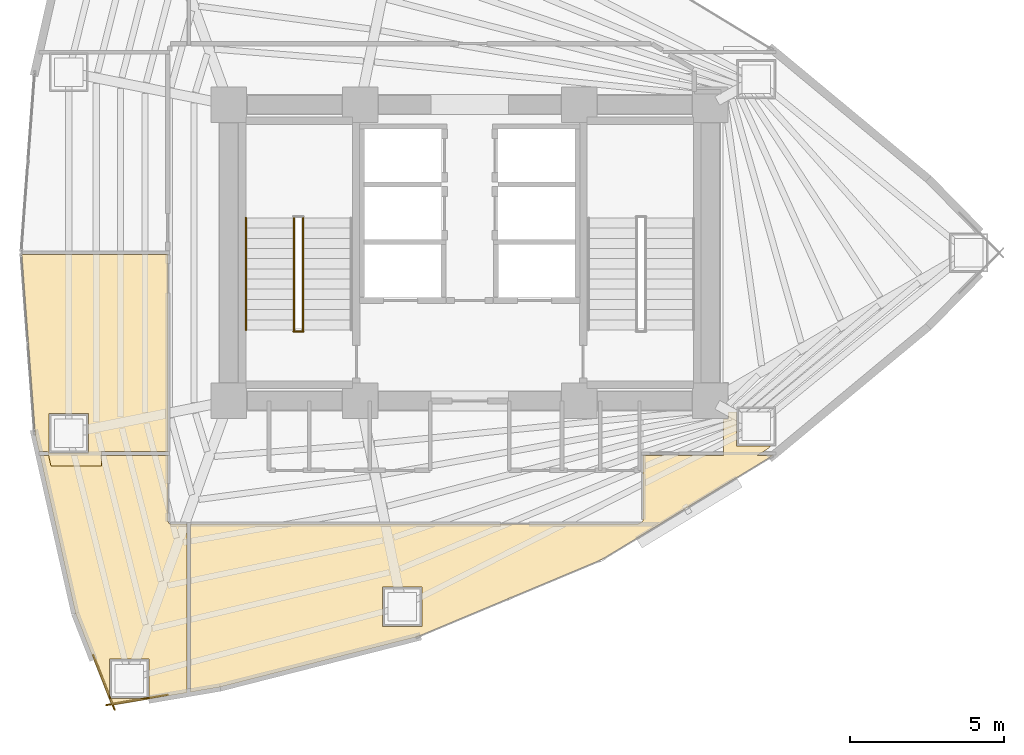
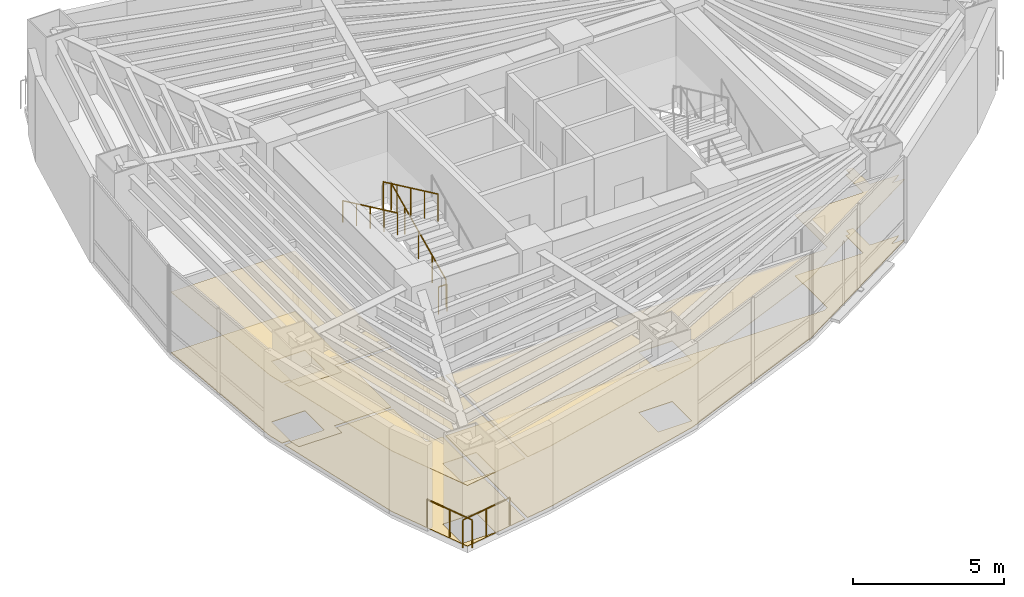
# One storey, part 15 of 16: 6 coverings, 6 railings.
"""IFC4 building model written with IfcOpenShell, lengths in metres."""

from ifc_helpers import new_model, si_unit, direction, frame, origin, origin_2d, place, context, subcontext, project, spatial, polyline, circle, outline, extrude, material, layer, layer_set, type_object, element, save


model = new_model("IFC4")

# Units and contexts
model_context = context("Model", 3, precision=1e-05, world=origin(), true_north=direction((0.0, 1.0)))
body_context = subcontext(model_context, "Body", "Model", "MODEL_VIEW")
ifc_project = project(units=[si_unit("LENGTHUNIT", "METRE"), si_unit("AREAUNIT", "SQUARE_METRE"), si_unit("VOLUMEUNIT", "CUBIC_METRE"), si_unit("PLANEANGLEUNIT", "RADIAN"), si_unit("MASSUNIT", "GRAM", prefix="KILO")], contexts=[model_context])

# Site, building, storey
site_placement = place(None, origin())
site = spatial("IfcSite", under=ifc_project, at=site_placement, CompositionType="ELEMENT")
building_placement = place(site_placement, origin())
building = spatial("IfcBuilding", under=site, at=building_placement, Name="Menara Vayukalpa", CompositionType="ELEMENT")
storey_placement = place(building_placement, frame((0.0, 0.0, 72.239990234375)))
storey = spatial("IfcBuildingStorey", under=building, at=storey_placement, Name="L17", CompositionType="ELEMENT", Elevation=72.239990234375)

# Coverings
ifc_material_1 = material(Name="Mineral Fibre Acoustic Ceiling Tile", Category="masonry")
ifc_layer_1 = layer(ifc_material_1, 0.02490234375)
ifc_layer_set_1 = layer_set([ifc_layer_1], Name="Mineral Fibre Acoustic Ceiling Tile")
covering_type_1 = type_object("IfcCoveringType", Name="COV-CLG1", PredefinedType="CEILING", material=ifc_layer_set_1)
covering_1_placement = place(storey_placement, frame((0.0, 0.0, 2.449951171875)))
element("IfcCovering", 1, at=covering_1_placement, inside=storey, type_object=covering_type_1, Name="L17 Visitor Reception Lounge Acoustic Ceiling", PredefinedType="CEILING", context=body_context, shape_type="SweptSolid", body=[
    extrude(outline(polyline([(11.65869140625, 15.56005859375), (11.65771484375, 15.56005859375), (11.65673828125, 15.560302734375), (11.65576171875, 15.560302734375), (11.65478515625, 15.560791015625), (11.654052734375, 15.56103515625), (11.653076171875, 15.5615234375), (11.65234375, 15.562255859375), (11.651611328125, 15.562744140625), (11.65087890625, 15.5634765625), (11.650390625, 15.564208984375), (11.64990234375, 15.565185546875), (11.6494140625, 15.56591796875), (11.649169921875, 15.56689453125), (11.648681640625, 15.56787109375), (11.5166015625, 16.155029296875), (11.516357421875, 16.156494140625), (11.08349609375, 21.92919921875), (11.08349609375, 21.93017578125), (11.08349609375, 21.93115234375), (11.083740234375, 21.93212890625), (11.083984375, 21.93310546875), (11.084228515625, 21.93408203125), (11.084716796875, 21.934814453125), (11.085205078125, 21.935791015625), (11.085693359375, 21.936279296875), (11.08642578125, 21.93701171875), (11.087158203125, 21.937744140625), (11.087890625, 21.9384765625), (11.0888671875, 21.93896484375), (11.089599609375, 21.939208984375), (11.090576171875, 21.939697265625), (11.091552734375, 21.939697265625), (11.092529296875, 21.93994140625), (11.093505859375, 21.93994140625), (15.820068359375, 21.93994140625), (15.821044921875, 21.93994140625), (15.822021484375, 21.939697265625), (15.822998046875, 21.939697265625), (15.82373046875, 21.939208984375), (15.82470703125, 21.938720703125), (15.82568359375, 21.938232421875), (15.826416015625, 21.937744140625), (15.8271484375, 21.93701171875), (15.82763671875, 21.936279296875), (15.828369140625, 21.935546875), (15.828857421875, 21.934814453125), (15.8291015625, 21.933837890625), (15.82958984375, 21.932861328125), (15.829833984375, 21.931884765625), (15.830078125, 21.930908203125), (15.830078125, 21.929931640625), (15.830078125, 15.570068359375), (15.830078125, 15.569091796875), (15.829833984375, 15.568115234375), (15.82958984375, 15.567138671875), (15.8291015625, 15.566162109375), (15.828857421875, 15.565185546875), (15.828369140625, 15.564453125), (15.82763671875, 15.563720703125), (15.8271484375, 15.56298828125), (15.826416015625, 15.562255859375), (15.82568359375, 15.561767578125), (15.82470703125, 15.561279296875), (15.82373046875, 15.560791015625), (15.822998046875, 15.560302734375), (15.822021484375, 15.560302734375), (15.821044921875, 15.56005859375), (15.820068359375, 15.56005859375), (13.66650390625, 15.56005859375), (13.66650390625, 15.09423828125), (12.031982421875, 15.09423828125), (11.92724609375, 15.56005859375), (11.65869140625, 15.56005859375)]), holes=[polyline([(13.24658203125, 16.794189453125), (11.966552734375, 16.794189453125), (11.966552734375, 15.514404296875), (13.24658203125, 15.514404296875), (13.24658203125, 16.794189453125)])]), origin(), (0.0, 0.0, 1.0), 0.025146484375),
])
covering_2_placement = place(storey_placement, frame((0.0, 0.0, 2.449951171875)))
element("IfcCovering", 2, at=covering_2_placement, inside=storey, type_object=covering_type_1, Name="L17 Visitor Reception Lounge Acoustic Ceiling", PredefinedType="CEILING", context=body_context, shape_type="SweptSolid", body=[
    extrude(outline(polyline([(14.005615234375, 7.33642578125), (14.00439453125, 7.336669921875), (14.003662109375, 7.3369140625), (14.002685546875, 7.33740234375), (14.001708984375, 7.337646484375), (14.0009765625, 7.338134765625), (14.000244140625, 7.3388671875), (13.99951171875, 7.339599609375), (13.998779296875, 7.340087890625), (13.998291015625, 7.341064453125), (13.997802734375, 7.341796875), (13.997314453125, 7.3427734375), (12.831787109375, 10.310791015625), (12.83154296875, 10.3115234375), (12.831298828125, 10.312255859375), (11.680419921875, 15.427734375), (11.68017578125, 15.4287109375), (11.68017578125, 15.4296875), (11.68017578125, 15.430908203125), (11.680419921875, 15.431884765625), (11.680419921875, 15.4326171875), (11.680908203125, 15.43359375), (11.68115234375, 15.4345703125), (11.681640625, 15.435302734375), (11.682373046875, 15.436279296875), (11.68310546875, 15.43701171875), (11.68359375, 15.437744140625), (11.6845703125, 15.438232421875), (11.685302734375, 15.438720703125), (11.686279296875, 15.439208984375), (11.687255859375, 15.439697265625), (11.68798828125, 15.439697265625), (11.689208984375, 15.43994140625), (11.690185546875, 15.43994140625), (11.954345703125, 15.43994140625), (11.7841796875, 16.19580078125), (11.7080078125, 17.21435546875), (13.66650390625, 17.21435546875), (13.66650390625, 15.43994140625), (15.820068359375, 15.43994140625), (15.821044921875, 15.43994140625), (15.822021484375, 15.439697265625), (15.822998046875, 15.439697265625), (15.82373046875, 15.439208984375), (15.82470703125, 15.438720703125), (15.82568359375, 15.438232421875), (15.826416015625, 15.437744140625), (15.8271484375, 15.43701171875), (15.82763671875, 15.436279296875), (15.828369140625, 15.435546875), (15.828857421875, 15.434814453125), (15.8291015625, 15.433837890625), (15.82958984375, 15.432861328125), (15.829833984375, 15.431884765625), (15.830078125, 15.430908203125), (15.830078125, 15.429931640625), (15.830078125, 13.290283203125), (15.830322265625, 13.283203125), (15.831298828125, 13.2763671875), (15.8330078125, 13.269775390625), (15.835205078125, 13.26318359375), (15.838134765625, 13.257080078125), (15.841796875, 13.251220703125), (15.845947265625, 13.24560546875), (15.8505859375, 13.240478515625), (15.85546875, 13.236083984375), (15.861083984375, 13.231689453125), (15.866943359375, 13.228271484375), (15.873291015625, 13.225341796875), (15.879638671875, 13.222900390625), (15.88623046875, 13.22119140625), (15.893310546875, 13.220458984375), (15.900390625, 13.219970703125), (16.429931640625, 13.219970703125), (16.430908203125, 13.219970703125), (16.431884765625, 13.2197265625), (16.432861328125, 13.219482421875), (16.433837890625, 13.21923828125), (16.434814453125, 13.21875), (16.435546875, 13.21826171875), (16.436279296875, 13.2177734375), (16.43701171875, 13.217041015625), (16.437744140625, 13.21630859375), (16.438232421875, 13.215576171875), (16.438720703125, 13.214599609375), (16.439208984375, 13.2138671875), (16.439697265625, 13.212890625), (16.439697265625, 13.2119140625), (16.43994140625, 13.2109375), (16.43994140625, 13.2099609375), (16.43994140625, 7.7578125), (16.43994140625, 7.7568359375), (16.439697265625, 7.755859375), (16.439697265625, 7.7548828125), (16.439208984375, 7.75390625), (16.438720703125, 7.7529296875), (16.438232421875, 7.752197265625), (16.4375, 7.751220703125), (16.43701171875, 7.75048828125), (16.436279296875, 7.75), (16.435302734375, 7.74951171875), (16.4345703125, 7.748779296875), (16.43359375, 7.74853515625), (16.4326171875, 7.748291015625), (16.431640625, 7.747802734375), (14.00830078125, 7.33642578125), (14.00732421875, 7.33642578125), (14.00634765625, 7.33642578125), (14.005615234375, 7.33642578125)]), holes=[polyline([(15.208984375, 8.842529296875), (13.92919921875, 8.842529296875), (13.92919921875, 7.5625), (15.208984375, 7.5625), (15.208984375, 8.842529296875)]), polyline([(13.24658203125, 16.794189453125), (11.966552734375, 16.794189453125), (11.966552734375, 15.514404296875), (13.24658203125, 15.514404296875), (13.24658203125, 16.794189453125)])]), origin(), (0.0, 0.0, 1.0), 0.025146484375),
])
covering_3_placement = place(storey_placement, frame((0.0, 0.0, 2.449951171875)))
element("IfcCovering", 3, at=covering_3_placement, inside=storey, type_object=covering_type_1, Name="L17 Visitor Reception Lounge Acoustic Ceiling", PredefinedType="CEILING", context=body_context, shape_type="SweptSolid", body=[
    extrude(outline(polyline([(23.90478515625, 9.562255859375), (23.903564453125, 9.561767578125), (17.5087890625, 7.930908203125), (17.5078125, 7.9306640625), (16.57177734375, 7.771728515625), (16.57080078125, 7.771484375), (16.569580078125, 7.771484375), (16.56884765625, 7.771728515625), (16.56787109375, 7.771728515625), (16.56689453125, 7.772216796875), (16.56591796875, 7.7724609375), (16.565185546875, 7.77294921875), (16.564208984375, 7.7734375), (16.5634765625, 7.77392578125), (16.562744140625, 7.774658203125), (16.562255859375, 7.775390625), (16.5615234375, 7.776123046875), (16.56103515625, 7.777099609375), (16.560791015625, 7.77783203125), (16.560302734375, 7.77880859375), (16.560302734375, 7.77978515625), (16.56005859375, 7.780517578125), (16.56005859375, 7.781494140625), (16.56005859375, 13.2099609375), (16.56005859375, 13.2109375), (16.560302734375, 13.2119140625), (16.560302734375, 13.212890625), (16.560791015625, 13.2138671875), (16.561279296875, 13.214599609375), (16.561767578125, 13.215576171875), (16.562255859375, 13.21630859375), (16.56298828125, 13.217041015625), (16.563720703125, 13.2177734375), (16.564453125, 13.21826171875), (16.565185546875, 13.21875), (16.566162109375, 13.21923828125), (16.567138671875, 13.219482421875), (16.568115234375, 13.2197265625), (16.569091796875, 13.219970703125), (16.570068359375, 13.219970703125), (31.048828125, 13.219970703125), (31.055419921875, 13.22021484375), (31.0615234375, 13.22119140625), (31.06787109375, 13.22265625), (31.073974609375, 13.224609375), (31.079833984375, 13.22705078125), (31.085693359375, 13.230224609375), (31.186279296875, 13.29150390625), (31.192138671875, 13.295654296875), (31.19775390625, 13.30029296875), (31.202880859375, 13.305419921875), (31.207275390625, 13.31103515625), (31.2109375, 13.317138671875), (31.214111328125, 13.323486328125), (31.216796875, 13.330078125), (31.218505859375, 13.337158203125), (31.219482421875, 13.34423828125), (31.219970703125, 13.3515625), (31.219970703125, 14.849609375), (31.219482421875, 14.856689453125), (31.21875, 14.86376953125), (31.217041015625, 14.870361328125), (31.214599609375, 14.876708984375), (31.2119140625, 14.8828125), (31.211669921875, 14.883056640625), (31.211181640625, 14.8837890625), (31.210693359375, 14.884765625), (31.21044921875, 14.8857421875), (31.210205078125, 14.88671875), (31.2099609375, 14.8876953125), (31.2099609375, 14.888671875), (31.2099609375, 15.429931640625), (31.2099609375, 15.430908203125), (31.210205078125, 15.431884765625), (31.21044921875, 15.432861328125), (31.210693359375, 15.433837890625), (31.211181640625, 15.434814453125), (31.211669921875, 15.435546875), (31.21240234375, 15.436279296875), (31.212890625, 15.43701171875), (31.213623046875, 15.437744140625), (31.21435546875, 15.438232421875), (31.21533203125, 15.438720703125), (31.21630859375, 15.439208984375), (31.217041015625, 15.439697265625), (31.218017578125, 15.439697265625), (31.218994140625, 15.43994140625), (31.219970703125, 15.43994140625), (33.826904296875, 15.43994140625), (33.826904296875, 16.610107421875), (33.989990234375, 16.610107421875), (33.989990234375, 16.85009765625), (34.246826171875, 16.85009765625), (34.246826171875, 15.73828125), (35.357666015625, 15.73828125), (35.22314453125, 15.626708984375), (34.915771484375, 15.43994140625), (35.39306640625, 15.43994140625), (35.39404296875, 15.43994140625), (35.39501953125, 15.439697265625), (35.39599609375, 15.439697265625), (35.39697265625, 15.439208984375), (35.397705078125, 15.438720703125), (35.398681640625, 15.438232421875), (35.3994140625, 15.437744140625), (35.400146484375, 15.43701171875), (35.40087890625, 15.436279296875), (35.4013671875, 15.435546875), (35.40185546875, 15.434814453125), (35.40234375, 15.433837890625), (35.402587890625, 15.432861328125), (35.40283203125, 15.431884765625), (35.403076171875, 15.430908203125), (35.403076171875, 15.43017578125), (35.403076171875, 15.42919921875), (35.40283203125, 15.427978515625), (35.402587890625, 15.42724609375), (35.40234375, 15.42626953125), (35.402099609375, 15.42529296875), (35.401611328125, 15.424560546875), (35.40087890625, 15.423583984375), (35.400146484375, 15.423095703125), (35.3994140625, 15.42236328125), (35.380859375, 15.40673828125), (35.380126953125, 15.40625), (35.379638671875, 15.406005859375), (29.862060546875, 12.05419921875), (29.861328125, 12.0537109375), (29.860595703125, 12.053466796875), (23.90478515625, 9.562255859375)]), holes=[polyline([(24.048095703125, 11.172607421875), (22.768310546875, 11.172607421875), (22.768310546875, 9.892578125), (24.048095703125, 9.892578125), (24.048095703125, 11.172607421875)])]), origin(), (0.0, 0.0, 1.0), 0.025146484375),
])
ifc_material_2 = material(Name="Porcelain Stoneware Floor Tile", Category="masonry")
ifc_layer_2 = layer(ifc_material_2, 0.02001953125)
ifc_layer_set_2 = layer_set([ifc_layer_2], Name="Porcelain Stoneware Floor Tile")
covering_type_2 = type_object("IfcCoveringType", Name="COV-FLR1", PredefinedType="FLOORING", material=ifc_layer_set_2)
covering_4_placement = place(storey_placement, origin())
element("IfcCovering", 4, at=covering_4_placement, inside=storey, type_object=covering_type_2, Name="L17 Visitor Reception Lounge Porcelain Flooring", PredefinedType="FLOORING", context=body_context, shape_type="SweptSolid", body=[
    extrude(outline(polyline([(11.65869140625, 15.56005859375), (11.65771484375, 15.56005859375), (11.65673828125, 15.560302734375), (11.65576171875, 15.560302734375), (11.65478515625, 15.560791015625), (11.654052734375, 15.56103515625), (11.653076171875, 15.5615234375), (11.65234375, 15.562255859375), (11.651611328125, 15.562744140625), (11.65087890625, 15.5634765625), (11.650390625, 15.564208984375), (11.64990234375, 15.565185546875), (11.6494140625, 15.56591796875), (11.649169921875, 15.56689453125), (11.648681640625, 15.56787109375), (11.5166015625, 16.155029296875), (11.516357421875, 16.156494140625), (11.08349609375, 21.92919921875), (11.08349609375, 21.93017578125), (11.08349609375, 21.93115234375), (11.083740234375, 21.93212890625), (11.083984375, 21.93310546875), (11.084228515625, 21.93408203125), (11.084716796875, 21.934814453125), (11.085205078125, 21.935791015625), (11.085693359375, 21.936279296875), (11.08642578125, 21.93701171875), (11.087158203125, 21.937744140625), (11.087890625, 21.9384765625), (11.0888671875, 21.93896484375), (11.089599609375, 21.939208984375), (11.090576171875, 21.939697265625), (11.091552734375, 21.939697265625), (11.092529296875, 21.93994140625), (11.093505859375, 21.93994140625), (15.820068359375, 21.93994140625), (15.821044921875, 21.93994140625), (15.822021484375, 21.939697265625), (15.822998046875, 21.939697265625), (15.82373046875, 21.939208984375), (15.82470703125, 21.938720703125), (15.82568359375, 21.938232421875), (15.826416015625, 21.937744140625), (15.8271484375, 21.93701171875), (15.82763671875, 21.936279296875), (15.828369140625, 21.935546875), (15.828857421875, 21.934814453125), (15.8291015625, 21.933837890625), (15.82958984375, 21.932861328125), (15.829833984375, 21.931884765625), (15.830078125, 21.930908203125), (15.830078125, 21.929931640625), (15.830078125, 15.570068359375), (15.830078125, 15.569091796875), (15.829833984375, 15.568115234375), (15.82958984375, 15.567138671875), (15.8291015625, 15.566162109375), (15.828857421875, 15.565185546875), (15.828369140625, 15.564453125), (15.82763671875, 15.563720703125), (15.8271484375, 15.56298828125), (15.826416015625, 15.562255859375), (15.82568359375, 15.561767578125), (15.82470703125, 15.561279296875), (15.82373046875, 15.560791015625), (15.822998046875, 15.560302734375), (15.822021484375, 15.560302734375), (15.821044921875, 15.56005859375), (15.820068359375, 15.56005859375), (13.66650390625, 15.56005859375), (13.66650390625, 15.09423828125), (12.031982421875, 15.09423828125), (11.92724609375, 15.56005859375), (11.65869140625, 15.56005859375)]), holes=[polyline([(13.24658203125, 16.794189453125), (11.966552734375, 16.794189453125), (11.966552734375, 15.514404296875), (13.24658203125, 15.514404296875), (13.24658203125, 16.794189453125)])]), origin(), (0.0, 0.0, 1.0), 0.02001953125),
])
covering_5_placement = place(storey_placement, origin())
element("IfcCovering", 5, at=covering_5_placement, inside=storey, type_object=covering_type_2, Name="L17 Visitor Reception Lounge Porcelain Flooring", PredefinedType="FLOORING", context=body_context, shape_type="SweptSolid", body=[
    extrude(outline(polyline([(14.005615234375, 7.33642578125), (14.00439453125, 7.336669921875), (14.003662109375, 7.3369140625), (14.002685546875, 7.33740234375), (14.001708984375, 7.337646484375), (14.0009765625, 7.338134765625), (14.000244140625, 7.3388671875), (13.99951171875, 7.339599609375), (13.998779296875, 7.340087890625), (13.998291015625, 7.341064453125), (13.997802734375, 7.341796875), (13.997314453125, 7.3427734375), (12.831787109375, 10.310791015625), (12.83154296875, 10.3115234375), (12.831298828125, 10.312255859375), (11.680419921875, 15.427734375), (11.68017578125, 15.4287109375), (11.68017578125, 15.4296875), (11.68017578125, 15.430908203125), (11.680419921875, 15.431884765625), (11.680419921875, 15.4326171875), (11.680908203125, 15.43359375), (11.68115234375, 15.4345703125), (11.681640625, 15.435302734375), (11.682373046875, 15.436279296875), (11.68310546875, 15.43701171875), (11.68359375, 15.437744140625), (11.6845703125, 15.438232421875), (11.685302734375, 15.438720703125), (11.686279296875, 15.439208984375), (11.687255859375, 15.439697265625), (11.68798828125, 15.439697265625), (11.689208984375, 15.43994140625), (11.690185546875, 15.43994140625), (11.954345703125, 15.43994140625), (11.7841796875, 16.19580078125), (11.7080078125, 17.21435546875), (13.66650390625, 17.21435546875), (13.66650390625, 15.43994140625), (15.820068359375, 15.43994140625), (15.821044921875, 15.43994140625), (15.822021484375, 15.439697265625), (15.822998046875, 15.439697265625), (15.82373046875, 15.439208984375), (15.82470703125, 15.438720703125), (15.82568359375, 15.438232421875), (15.826416015625, 15.437744140625), (15.8271484375, 15.43701171875), (15.82763671875, 15.436279296875), (15.828369140625, 15.435546875), (15.828857421875, 15.434814453125), (15.8291015625, 15.433837890625), (15.82958984375, 15.432861328125), (15.829833984375, 15.431884765625), (15.830078125, 15.430908203125), (15.830078125, 15.429931640625), (15.830078125, 13.290283203125), (15.830322265625, 13.283203125), (15.831298828125, 13.2763671875), (15.8330078125, 13.269775390625), (15.835205078125, 13.26318359375), (15.838134765625, 13.257080078125), (15.841796875, 13.251220703125), (15.845947265625, 13.24560546875), (15.8505859375, 13.240478515625), (15.85546875, 13.236083984375), (15.861083984375, 13.231689453125), (15.866943359375, 13.228271484375), (15.873291015625, 13.225341796875), (15.879638671875, 13.222900390625), (15.88623046875, 13.22119140625), (15.893310546875, 13.220458984375), (15.900390625, 13.219970703125), (16.429931640625, 13.219970703125), (16.430908203125, 13.219970703125), (16.431884765625, 13.2197265625), (16.432861328125, 13.219482421875), (16.433837890625, 13.21923828125), (16.434814453125, 13.21875), (16.435546875, 13.21826171875), (16.436279296875, 13.2177734375), (16.43701171875, 13.217041015625), (16.437744140625, 13.21630859375), (16.438232421875, 13.215576171875), (16.438720703125, 13.214599609375), (16.439208984375, 13.2138671875), (16.439697265625, 13.212890625), (16.439697265625, 13.2119140625), (16.43994140625, 13.2109375), (16.43994140625, 13.2099609375), (16.43994140625, 7.7578125), (16.43994140625, 7.7568359375), (16.439697265625, 7.755859375), (16.439697265625, 7.7548828125), (16.439208984375, 7.75390625), (16.438720703125, 7.7529296875), (16.438232421875, 7.752197265625), (16.4375, 7.751220703125), (16.43701171875, 7.75048828125), (16.436279296875, 7.75), (16.435302734375, 7.74951171875), (16.4345703125, 7.748779296875), (16.43359375, 7.74853515625), (16.4326171875, 7.748291015625), (16.431640625, 7.747802734375), (14.00830078125, 7.33642578125), (14.00732421875, 7.33642578125), (14.00634765625, 7.33642578125), (14.005615234375, 7.33642578125)]), holes=[polyline([(15.208984375, 8.842529296875), (13.92919921875, 8.842529296875), (13.92919921875, 7.5625), (15.208984375, 7.5625), (15.208984375, 8.842529296875)]), polyline([(13.24658203125, 16.794189453125), (11.966552734375, 16.794189453125), (11.966552734375, 15.514404296875), (13.24658203125, 15.514404296875), (13.24658203125, 16.794189453125)])]), origin(), (0.0, 0.0, 1.0), 0.02001953125),
])
covering_6_placement = place(storey_placement, origin())
element("IfcCovering", 6, at=covering_6_placement, inside=storey, type_object=covering_type_2, Name="L17 Visitor Reception Lounge Porcelain Flooring", PredefinedType="FLOORING", context=body_context, shape_type="SweptSolid", body=[
    extrude(outline(polyline([(23.90478515625, 9.562255859375), (23.903564453125, 9.561767578125), (17.5087890625, 7.930908203125), (17.5078125, 7.9306640625), (16.57177734375, 7.771728515625), (16.57080078125, 7.771484375), (16.569580078125, 7.771484375), (16.56884765625, 7.771728515625), (16.56787109375, 7.771728515625), (16.56689453125, 7.772216796875), (16.56591796875, 7.7724609375), (16.565185546875, 7.77294921875), (16.564208984375, 7.7734375), (16.5634765625, 7.77392578125), (16.562744140625, 7.774658203125), (16.562255859375, 7.775390625), (16.5615234375, 7.776123046875), (16.56103515625, 7.777099609375), (16.560791015625, 7.77783203125), (16.560302734375, 7.77880859375), (16.560302734375, 7.77978515625), (16.56005859375, 7.780517578125), (16.56005859375, 7.781494140625), (16.56005859375, 13.2099609375), (16.56005859375, 13.2109375), (16.560302734375, 13.2119140625), (16.560302734375, 13.212890625), (16.560791015625, 13.2138671875), (16.561279296875, 13.214599609375), (16.561767578125, 13.215576171875), (16.562255859375, 13.21630859375), (16.56298828125, 13.217041015625), (16.563720703125, 13.2177734375), (16.564453125, 13.21826171875), (16.565185546875, 13.21875), (16.566162109375, 13.21923828125), (16.567138671875, 13.219482421875), (16.568115234375, 13.2197265625), (16.569091796875, 13.219970703125), (16.570068359375, 13.219970703125), (31.048828125, 13.219970703125), (31.055419921875, 13.22021484375), (31.0615234375, 13.22119140625), (31.06787109375, 13.22265625), (31.073974609375, 13.224609375), (31.079833984375, 13.22705078125), (31.085693359375, 13.230224609375), (31.186279296875, 13.29150390625), (31.192138671875, 13.295654296875), (31.19775390625, 13.30029296875), (31.202880859375, 13.305419921875), (31.207275390625, 13.31103515625), (31.2109375, 13.317138671875), (31.214111328125, 13.323486328125), (31.216796875, 13.330078125), (31.218505859375, 13.337158203125), (31.219482421875, 13.34423828125), (31.219970703125, 13.3515625), (31.219970703125, 14.849609375), (31.219482421875, 14.856689453125), (31.21875, 14.86376953125), (31.217041015625, 14.870361328125), (31.214599609375, 14.876708984375), (31.2119140625, 14.8828125), (31.211669921875, 14.883056640625), (31.211181640625, 14.8837890625), (31.210693359375, 14.884765625), (31.21044921875, 14.8857421875), (31.210205078125, 14.88671875), (31.2099609375, 14.8876953125), (31.2099609375, 14.888671875), (31.2099609375, 15.429931640625), (31.2099609375, 15.430908203125), (31.210205078125, 15.431884765625), (31.21044921875, 15.432861328125), (31.210693359375, 15.433837890625), (31.211181640625, 15.434814453125), (31.211669921875, 15.435546875), (31.21240234375, 15.436279296875), (31.212890625, 15.43701171875), (31.213623046875, 15.437744140625), (31.21435546875, 15.438232421875), (31.21533203125, 15.438720703125), (31.21630859375, 15.439208984375), (31.217041015625, 15.439697265625), (31.218017578125, 15.439697265625), (31.218994140625, 15.43994140625), (31.219970703125, 15.43994140625), (33.826904296875, 15.43994140625), (33.826904296875, 16.610107421875), (33.989990234375, 16.610107421875), (33.989990234375, 16.85009765625), (34.246826171875, 16.85009765625), (34.246826171875, 15.73828125), (35.357666015625, 15.73828125), (35.22314453125, 15.626708984375), (34.915771484375, 15.43994140625), (35.39306640625, 15.43994140625), (35.39404296875, 15.43994140625), (35.39501953125, 15.439697265625), (35.39599609375, 15.439697265625), (35.39697265625, 15.439208984375), (35.397705078125, 15.438720703125), (35.398681640625, 15.438232421875), (35.3994140625, 15.437744140625), (35.400146484375, 15.43701171875), (35.40087890625, 15.436279296875), (35.4013671875, 15.435546875), (35.40185546875, 15.434814453125), (35.40234375, 15.433837890625), (35.402587890625, 15.432861328125), (35.40283203125, 15.431884765625), (35.403076171875, 15.430908203125), (35.403076171875, 15.43017578125), (35.403076171875, 15.42919921875), (35.40283203125, 15.427978515625), (35.402587890625, 15.42724609375), (35.40234375, 15.42626953125), (35.402099609375, 15.42529296875), (35.401611328125, 15.424560546875), (35.40087890625, 15.423583984375), (35.400146484375, 15.423095703125), (35.3994140625, 15.42236328125), (35.380859375, 15.40673828125), (35.380126953125, 15.40625), (35.379638671875, 15.406005859375), (29.862060546875, 12.05419921875), (29.861328125, 12.0537109375), (29.860595703125, 12.053466796875), (23.90478515625, 9.562255859375)]), holes=[polyline([(24.048095703125, 11.172607421875), (22.768310546875, 11.172607421875), (22.768310546875, 9.892578125), (24.048095703125, 9.892578125), (24.048095703125, 11.172607421875)])]), origin(), (0.0, 0.0, 1.0), 0.02001953125),
])

# Railings
ifc_material_3 = material(Name="Laminated Glass and Stainless Steel 316 Guardrail", Category="steel")
railing_type_1 = type_object("IfcRailingType", Name="RLG-EXT115", PredefinedType="GUARDRAIL", material=ifc_material_3)
railing_1_placement = place(storey_placement, frame((13.39990234375, 8.9736328125, 0.0)))
element("IfcRailing", 7, at=railing_1_placement, inside=storey, type_object=railing_type_1, Name="L17 Column Corner Spandrel Guardrail 13-1", PredefinedType="GUARDRAIL", context=body_context, shape_type="SweptSolid", body=[
    extrude(circle(Radius=0.02392578125, at=origin_2d()), frame((0.0, 0.0, 1.1259765625), z_axis=(0.365573386764, -0.930782519652, 0.0), x_axis=(0.930782519652, 0.365573386764, 0.0)), (0.0, 0.0, 1.0), 1.91259765625),
    extrude(circle(Radius=0.02099609375, at=origin_2d()), origin(), (0.0, 0.0, 1.0), 1.101806640625),
    extrude(circle(Radius=0.02099609375, at=origin_2d()), frame((0.349609375, -0.89013671875, 0.0)), (0.0, 0.0, 1.0), 1.101806640625),
    extrude(circle(Radius=0.02099609375, at=origin_2d()), frame((0.69921875, -1.7802734375, 0.0)), (0.0, 0.0, 1.0), 1.101806640625),
])
railing_2_placement = place(storey_placement, frame((13.827880859375, 7.346435546875, 0.0)))
element("IfcRailing", 8, at=railing_2_placement, inside=storey, type_object=railing_type_1, Name="L17 Column Corner Spandrel Guardrail 14-1", PredefinedType="GUARDRAIL", context=body_context, shape_type="SweptSolid", body=[
    extrude(circle(Radius=0.02392578125, at=origin_2d()), frame((0.0, 0.0, 1.1259765625), z_axis=(0.985895977605, 0.16735925831, 0.0), x_axis=(-0.16735925831, 0.985895977605, 0.0)), (0.0, 0.0, 1.0), 2.01904296875),
    extrude(circle(Radius=0.02099609375, at=origin_2d()), origin(), (0.0, 0.0, 1.0), 1.101806640625),
    extrude(circle(Radius=0.02099609375, at=origin_2d()), frame((0.9951171875, 0.1689453125, 0.0)), (0.0, 0.0, 1.0), 1.101806640625),
    extrude(circle(Radius=0.02099609375, at=origin_2d()), frame((1.990478515625, 0.337890625, 0.0)), (0.0, 0.0, 1.0), 1.101806640625),
])
ifc_material_4 = material(Name="Powder-Coated Galvanised Steel Guardrail", Category="steel")
railing_type_2 = type_object("IfcRailingType", Name="RLG-STG110", PredefinedType="GUARDRAIL", material=ifc_material_4)
railing_3_placement = place(storey_placement, frame((20.199951171875, 19.5, 0.155029296875)))
element("IfcRailing", 9, at=railing_3_placement, inside=storey, type_object=railing_type_2, Name="L17 ST-1 stair guard 1", PredefinedType="GUARDRAIL", context=body_context, shape_type="SweptSolid", body=[
    extrude(circle(Radius=0.02392578125, at=origin_2d()), frame((0.0, 0.0, 1.09619140625), z_axis=(0.0, 0.90511648382, 0.425163675209), x_axis=(-1.0, 0.0, 0.0)), (0.0, 0.0, 1.0), 4.010498046875),
    extrude(circle(Radius=0.02099609375, at=origin_2d()), origin(), (0.0, 0.0, 1.0), 1.072021484375),
    extrude(circle(Radius=0.02099609375, at=origin_2d()), frame((0.0, 0.907470703125, 0.42626953125)), (0.0, 0.0, 1.0), 1.072021484375),
    extrude(circle(Radius=0.02099609375, at=origin_2d()), frame((0.0, 1.81494140625, 0.8525390625)), (0.0, 0.0, 1.0), 1.072021484375),
    extrude(circle(Radius=0.02099609375, at=origin_2d()), frame((0.0, 2.722412109375, 1.27880859375)), (0.0, 0.0, 1.0), 1.072021484375),
    extrude(circle(Radius=0.02099609375, at=origin_2d()), frame((0.0, 3.6298828125, 1.705078125)), (0.0, 0.0, 1.0), 1.072021484375),
])
railing_4_placement = place(storey_placement, frame((19.89990234375, 23.1298828125, 2.014892578125)))
element("IfcRailing", 10, at=railing_4_placement, inside=storey, type_object=railing_type_2, Name="L17 ST-1 stair guard 3", PredefinedType="GUARDRAIL", context=body_context, shape_type="SweptSolid", body=[
    extrude(circle(Radius=0.02392578125, at=origin_2d()), frame((0.0, 0.0, 1.09619140625), z_axis=(0.0, -0.90511648382, 0.425163675209), x_axis=(1.0, 0.0, 0.0)), (0.0, 0.0, 1.0), 4.010498046875),
    extrude(circle(Radius=0.02099609375, at=origin_2d()), origin(), (0.0, 0.0, 1.0), 1.072021484375),
    extrude(circle(Radius=0.02099609375, at=origin_2d()), frame((0.0, -0.907470703125, 0.42626953125)), (0.0, 0.0, 1.0), 1.072021484375),
    extrude(circle(Radius=0.02099609375, at=origin_2d()), frame((0.0, -1.81494140625, 0.8525390625)), (0.0, 0.0, 1.0), 1.072021484375),
    extrude(circle(Radius=0.02099609375, at=origin_2d()), frame((0.0, -2.722412109375, 1.27880859375)), (0.0, 0.0, 1.0), 1.072021484375),
    extrude(circle(Radius=0.02099609375, at=origin_2d()), frame((0.0, -3.6298828125, 1.705078125)), (0.0, 0.0, 1.0), 1.072021484375),
])
railing_5_placement = place(storey_placement, frame((20.2099609375, 19.449951171875, 0.0)))
element("IfcRailing", 11, at=railing_5_placement, inside=storey, type_object=railing_type_2, Name="L17 ST-1 stair guard 4", PredefinedType="GUARDRAIL", context=body_context, shape_type="SweptSolid", body=[
    extrude(circle(Radius=0.02392578125, at=origin_2d()), frame((0.0, 0.0, 1.09619140625), z_axis=(-1.0, 0.0, 0.0), x_axis=(0.0, -1.0, 0.0)), (0.0, 0.0, 1.0), 0.320068359375),
    extrude(circle(Radius=0.02099609375, at=origin_2d()), origin(), (0.0, 0.0, 1.0), 1.072021484375),
    extrude(circle(Radius=0.02099609375, at=origin_2d()), frame((-0.320068359375, 0.0, 0.0)), (0.0, 0.0, 1.0), 1.072021484375),
])
ifc_material_5 = material(Name="Stainless Steel 316 Tubular Handrail", Category="steel")
railing_type_3 = type_object("IfcRailingType", Name="RLG-STH090", PredefinedType="HANDRAIL", material=ifc_material_5)
railing_6_placement = place(storey_placement, frame((18.35009765625, 23.1298828125, 2.014892578125)))
element("IfcRailing", 12, at=railing_6_placement, inside=storey, type_object=railing_type_3, Name="L17 ST-1 stair handrail 2", PredefinedType="HANDRAIL", context=body_context, shape_type="SweptSolid", body=[
    extrude(circle(Radius=0.02392578125, at=origin_2d()), frame((0.0, 0.0, 0.8759765625), z_axis=(0.0, -0.90511648382, 0.425163675209), x_axis=(1.0, 0.0, 0.0)), (0.0, 0.0, 1.0), 4.010498046875),
    extrude(circle(Radius=0.02099609375, at=origin_2d()), origin(), (0.0, 0.0, 1.0), 0.851806640625),
    extrude(circle(Radius=0.02099609375, at=origin_2d()), frame((0.0, -0.907470703125, 0.42626953125)), (0.0, 0.0, 1.0), 0.851806640625),
    extrude(circle(Radius=0.02099609375, at=origin_2d()), frame((0.0, -1.81494140625, 0.8525390625)), (0.0, 0.0, 1.0), 0.851806640625),
    extrude(circle(Radius=0.02099609375, at=origin_2d()), frame((0.0, -2.722412109375, 1.27880859375)), (0.0, 0.0, 1.0), 0.851806640625),
    extrude(circle(Radius=0.02099609375, at=origin_2d()), frame((0.0, -3.6298828125, 1.705078125)), (0.0, 0.0, 1.0), 0.851806640625),
])

save(model, "model.ifc")
